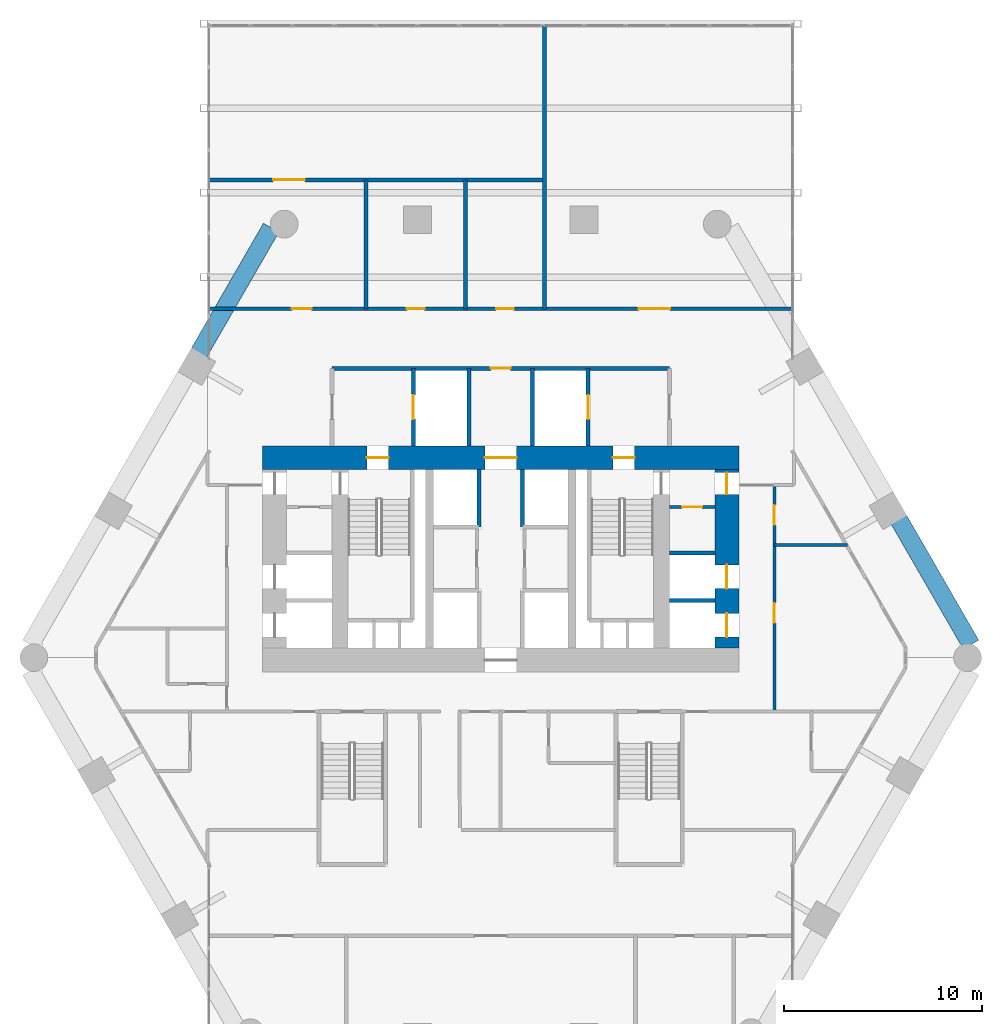
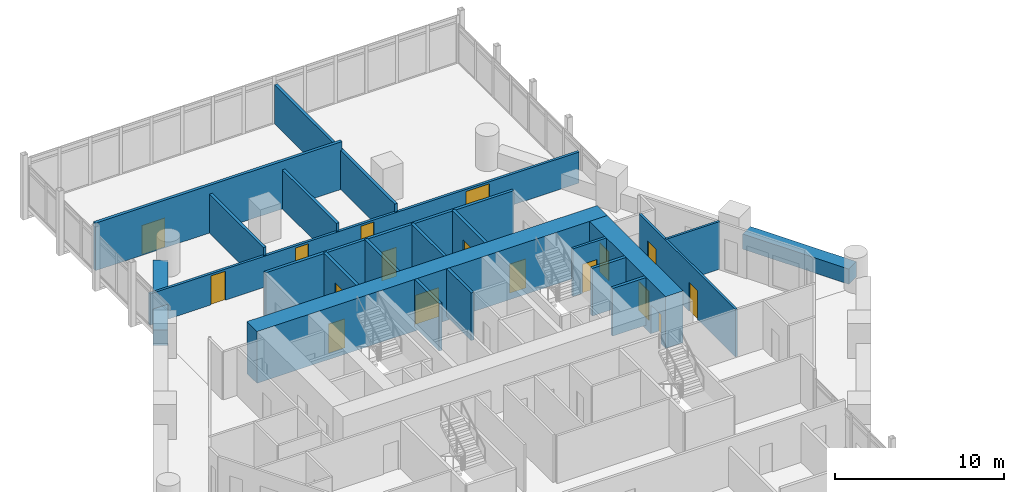
# One storey, part 26 of 28: 21 walls, 17 doors, 17 openings.
"""IFC4 building model written with IfcOpenShell, lengths in metres."""

from ifc_helpers import new_model, si_unit, direction, frame, frame_2d, origin, place, context, subcontext, project, spatial, rectangle, extrude, material, layer, layer_set, type_object, element, fill, save


model = new_model("IFC4")

# Units and contexts
model_context = context("Model", 3, precision=1e-05, world=origin(), true_north=direction((0.0, 1.0)))
body_context = subcontext(model_context, "Body", "Model", "MODEL_VIEW")
ifc_project = project(units=[si_unit("LENGTHUNIT", "METRE"), si_unit("AREAUNIT", "SQUARE_METRE"), si_unit("VOLUMEUNIT", "CUBIC_METRE"), si_unit("PLANEANGLEUNIT", "RADIAN"), si_unit("MASSUNIT", "GRAM", prefix="KILO")], contexts=[model_context])

# Site, building, storey
site_placement = place(None, origin())
site = spatial("IfcSite", under=ifc_project, at=site_placement, CompositionType="ELEMENT")
building_placement = place(site_placement, origin())
building = spatial("IfcBuilding", under=site, at=building_placement, Name="Ostrander Bayou Hotel Tower", CompositionType="ELEMENT")
storey_placement = place(building_placement, frame((0.0, 0.0, 76.75)))
storey = spatial("IfcBuildingStorey", under=building, at=storey_placement, Name="L19", CompositionType="ELEMENT", Elevation=76.75)

# Wall, openings, doors
ifc_material_1 = material(Name="Concrete f'c 70 MPa", Category="concrete")
ifc_layer_1 = layer(ifc_material_1, 1.199951171875)
ifc_layer_set_1 = layer_set([ifc_layer_1], Name="CW1 core wall 1200 mm f'c 70 MPa")
wall_type_1 = type_object("IfcWallType", Name="CW1 core wall 1200 mm f'c 70 MPa", PredefinedType="SHEAR", material=ifc_layer_set_1)
wall_1_placement = place(storey_placement, frame((-12.0, 9.10009765625, -0.300048828125), z_axis=(0.0, 0.0, 1.0), x_axis=(1.0, 0.0, 0.0)))
wall_1 = element("IfcWall", 1, at=wall_1_placement, inside=storey, type_object=wall_type_1, Name="CW1 L19 N", PredefinedType="SHEAR", context=body_context, shape_type="SweptSolid", body=[
    extrude(rectangle(XDim=24.0, YDim=1.199951171875, at=frame_2d((12.0, 0.0))), origin(), (0.0, 0.0, 1.0), 3.75),
])
opening_1_placement = place(wall_1_placement, frame((11.199951171875, 0.0, 0.0)))
opening_1 = element("IfcOpeningElement", 2, at=opening_1_placement, cuts=wall_1, Name="Opening T18-002", PredefinedType="OPENING", context=body_context, shape_type="SweptSolid", body=[
    extrude(rectangle(XDim=1.60009765625, YDim=2.10009765625, at=frame_2d((0.800048828125, 1.050048828125))), frame((0.0, 0.60009765625, 0.0), z_axis=(0.0, -1.0, 0.0), x_axis=(1.0, 0.0, 0.0)), (0.0, 0.0, 1.0), 1.199951171875),
])
opening_2_placement = place(wall_1_placement, frame((5.25, 0.0, 0.0)))
opening_2 = element("IfcOpeningElement", 3, at=opening_2_placement, cuts=wall_1, Name="Opening T18-003", PredefinedType="OPENING", context=body_context, shape_type="SweptSolid", body=[
    extrude(rectangle(XDim=1.10009765625, YDim=2.10009765625, at=frame_2d((0.550048828125, 1.050048828125))), frame((0.0, 0.60009765625, 0.0), z_axis=(0.0, -1.0, 0.0), x_axis=(1.0, 0.0, 0.0)), (0.0, 0.0, 1.0), 1.199951171875),
])
opening_3_placement = place(wall_1_placement, frame((17.64990234375, 0.0, 0.0)))
opening_3 = element("IfcOpeningElement", 4, at=opening_3_placement, cuts=wall_1, Name="Opening T18-005", PredefinedType="OPENING", context=body_context, shape_type="SweptSolid", body=[
    extrude(rectangle(XDim=1.10009765625, YDim=2.10009765625, at=frame_2d((0.550048828125, 1.050048828125))), frame((0.0, 0.60009765625, 0.0), z_axis=(0.0, -1.0, 0.0), x_axis=(1.0, 0.0, 0.0)), (0.0, 0.0, 1.0), 1.199951171875),
])
ifc_material_2 = material(Name="Timber door leaf", Category="wood")
door_type_1 = type_object("IfcDoorType", Name="D13 double door 1600 x 2100 mm, 1 hour", OperationType="SINGLE_SWING_LEFT", PredefinedType="DOOR", material=ifc_material_2)
door_1_placement = place(opening_1_placement, origin())
door_1 = element("IfcDoor", 5, at=door_1_placement, inside=storey, type_object=door_type_1, Name="dr:L19:002", OperationType="DOUBLE_DOOR_SINGLE_SWING", OverallHeight=2.10009765625, OverallWidth=1.60009765625, PredefinedType="DOOR", context=body_context, shape_type="SweptSolid", body=[
    extrude(rectangle(XDim=1.60009765625, YDim=2.10009765625, at=frame_2d((0.800048828125, 1.050048828125))), frame((0.0, 0.02490234375, 0.0), z_axis=(0.0, -1.0, 0.0), x_axis=(1.0, 0.0, 0.0)), (0.0, 0.0, 1.0), 0.050048828125),
])
fill(opening_1, door_1)
ifc_material_3 = material(Name="Timber door leaf", Category="wood")
door_type_2 = type_object("IfcDoorType", Name="D5 stair door 1100 x 2100 mm, 90 minute", OperationType="SINGLE_SWING_LEFT", PredefinedType="DOOR", material=ifc_material_3)
door_2_placement = place(opening_2_placement, origin())
door_2 = element("IfcDoor", 6, at=door_2_placement, inside=storey, type_object=door_type_2, Name="dr:L19:003", OperationType="SINGLE_SWING_LEFT", OverallHeight=2.10009765625, OverallWidth=1.10009765625, PredefinedType="DOOR", context=body_context, shape_type="SweptSolid", body=[
    extrude(rectangle(XDim=1.10009765625, YDim=2.10009765625, at=frame_2d((0.550048828125, 1.050048828125))), frame((0.0, 0.02490234375, 0.0), z_axis=(0.0, -1.0, 0.0), x_axis=(1.0, 0.0, 0.0)), (0.0, 0.0, 1.0), 0.050048828125),
])
fill(opening_2, door_2)
door_3_placement = place(opening_3_placement, origin())
door_3 = element("IfcDoor", 7, at=door_3_placement, inside=storey, type_object=door_type_2, Name="dr:L19:005", OperationType="SINGLE_SWING_RIGHT", OverallHeight=2.10009765625, OverallWidth=1.10009765625, PredefinedType="DOOR", context=body_context, shape_type="SweptSolid", body=[
    extrude(rectangle(XDim=1.10009765625, YDim=2.10009765625, at=frame_2d((0.550048828125, 1.050048828125))), frame((0.0, 0.02490234375, 0.0), z_axis=(0.0, -1.0, 0.0), x_axis=(1.0, 0.0, 0.0)), (0.0, 0.0, 1.0), 0.050048828125),
])
fill(opening_3, door_3)

wall_2_placement = place(storey_placement, frame((11.39990234375, -0.5, -0.300048828125), z_axis=(0.0, 0.0, 1.0), x_axis=(0.0, 1.0, 0.0)))
wall_2 = element("IfcWall", 8, at=wall_2_placement, inside=storey, type_object=wall_type_1, Name="CW1 L19 RE", PredefinedType="SHEAR", context=body_context, shape_type="SweptSolid", body=[
    extrude(rectangle(XDim=9.0, YDim=1.199951171875, at=frame_2d((4.5, 0.0))), origin(), (0.0, 0.0, 1.0), 3.75),
])
opening_4_placement = place(wall_2_placement, frame((7.75, 0.0, 0.0)))
opening_4 = element("IfcOpeningElement", 9, at=opening_4_placement, cuts=wall_2, Name="Opening T18-021", PredefinedType="OPENING", context=body_context, shape_type="SweptSolid", body=[
    extrude(rectangle(XDim=1.10009765625, YDim=2.10009765625, at=frame_2d((0.550048828125, 1.050048828125))), frame((0.0, 0.60009765625, 0.0), z_axis=(0.0, -1.0, 0.0), x_axis=(1.0, 0.0, 0.0)), (0.0, 0.0, 1.0), 1.199951171875),
])
opening_5_placement = place(wall_2_placement, frame((0.550048828125, 0.0, 0.0)))
opening_5 = element("IfcOpeningElement", 10, at=opening_5_placement, cuts=wall_2, Name="Opening T18-022", PredefinedType="OPENING", context=body_context, shape_type="SweptSolid", body=[
    extrude(rectangle(XDim=1.199951171875, YDim=2.10009765625, at=frame_2d((0.60009765625, 1.050048828125))), frame((0.0, 0.60009765625, 0.0), z_axis=(0.0, -1.0, 0.0), x_axis=(1.0, 0.0, 0.0)), (0.0, 0.0, 1.0), 1.199951171875),
])
opening_6_placement = place(wall_2_placement, frame((3.0, 0.0, 0.0)))
opening_6 = element("IfcOpeningElement", 11, at=opening_6_placement, cuts=wall_2, Name="Opening T18-023", PredefinedType="OPENING", context=body_context, shape_type="SweptSolid", body=[
    extrude(rectangle(XDim=1.199951171875, YDim=2.10009765625, at=frame_2d((0.60009765625, 1.050048828125))), frame((0.0, 0.60009765625, 0.0), z_axis=(0.0, -1.0, 0.0), x_axis=(1.0, 0.0, 0.0)), (0.0, 0.0, 1.0), 1.199951171875),
])
door_4_placement = place(opening_4_placement, origin())
door_4 = element("IfcDoor", 12, at=door_4_placement, inside=storey, type_object=door_type_2, Name="dr:L19:021", OperationType="SINGLE_SWING_RIGHT", OverallHeight=2.10009765625, OverallWidth=1.10009765625, PredefinedType="DOOR", context=body_context, shape_type="SweptSolid", body=[
    extrude(rectangle(XDim=1.10009765625, YDim=2.10009765625, at=frame_2d((0.550048828125, 1.050048828125))), frame((0.0, 0.02490234375, 0.0), z_axis=(0.0, -1.0, 0.0), x_axis=(1.0, 0.0, 0.0)), (0.0, 0.0, 1.0), 0.050048828125),
])
fill(opening_4, door_4)
ifc_material_4 = material(Name="Stainless steel sliding door", Category="steel")
door_type_3 = type_object("IfcDoorType", Name="LD1 lift landing door 1200 x 2100 mm", OperationType="SINGLE_SWING_LEFT", PredefinedType="DOOR", material=ifc_material_4)
door_5_placement = place(opening_5_placement, origin())
door_5 = element("IfcDoor", 13, at=door_5_placement, inside=storey, type_object=door_type_3, Name="dr:L19:022", OperationType="SLIDING_TO_LEFT", OverallHeight=2.10009765625, OverallWidth=1.199951171875, PredefinedType="DOOR", context=body_context, shape_type="SweptSolid", body=[
    extrude(rectangle(XDim=1.199951171875, YDim=2.10009765625, at=frame_2d((0.60009765625, 1.050048828125))), frame((0.0, 0.02490234375, 0.0), z_axis=(0.0, -1.0, 0.0), x_axis=(1.0, 0.0, 0.0)), (0.0, 0.0, 1.0), 0.050048828125),
])
fill(opening_5, door_5)
door_6_placement = place(opening_6_placement, origin())
door_6 = element("IfcDoor", 14, at=door_6_placement, inside=storey, type_object=door_type_3, Name="dr:L19:023", OperationType="SLIDING_TO_LEFT", OverallHeight=2.10009765625, OverallWidth=1.199951171875, PredefinedType="DOOR", context=body_context, shape_type="SweptSolid", body=[
    extrude(rectangle(XDim=1.199951171875, YDim=2.10009765625, at=frame_2d((0.60009765625, 1.050048828125))), frame((0.0, 0.02490234375, 0.0), z_axis=(0.0, -1.0, 0.0), x_axis=(1.0, 0.0, 0.0)), (0.0, 0.0, 1.0), 0.050048828125),
])
fill(opening_6, door_6)

# Walls
ifc_material_5 = material(Name="Concrete f'c 40 MPa", Category="concrete")
ifc_layer_2 = layer(ifc_material_5, 0.89990234375)
ifc_layer_set_2 = layer_set([ifc_layer_2], Name="PA1 stone-faced parapet 900 mm")
wall_type_2 = type_object("IfcWallType", Name="PA1 stone-faced parapet 900 mm", PredefinedType="PARAPET", material=ifc_layer_set_2)
for number, where, z_axis, x_axis, name in (
    (15, (-11.5712890625, 20.694091796875, 0.0), (0.0, 0.0, 1.0), (-0.50000343918, -0.866023418164, 0.0), "PA1 L19 NW-1"),
    (16, (23.707275390625, -0.325927734375, 0.0), (0.0, 0.0, 1.0), (-0.50000343918, 0.866023418164, 0.0), "PA1 L19 NE-1"),
):
    element("IfcWall", number, at=place(storey_placement, frame(where, z_axis=z_axis, x_axis=x_axis)), inside=storey, type_object=wall_type_2, Name=name, PredefinedType="PARAPET", context=body_context, shape_type="SweptSolid", body=[
        extrude(rectangle(XDim=7.2705078125, YDim=0.89990234375, at=frame_2d((3.63525390625, 0.0))), origin(), (0.0, 0.0, 1.0), 1.10009765625),
    ])

# Wall, opening, door
ifc_material_6 = material(Name="Gypsum board partition", Category="finish")
ifc_layer_3 = layer(ifc_material_6, 0.199951171875)
ifc_layer_set_3 = layer_set([ifc_layer_3], Name="PT3 demising wall 200 mm acoustic double stud, 1 hour")
wall_type_3 = type_object("IfcWallType", Name="PT3 demising wall 200 mm acoustic double stud, 1 hour", PredefinedType="PARTITIONING", material=ifc_layer_set_3)
wall_3_placement = place(storey_placement, frame((-14.693115234375, 23.10009765625, 0.0), z_axis=(0.0, 0.0, 1.0), x_axis=(1.0, 0.0, 0.0)))
wall_3 = element("IfcWall", 17, at=wall_3_placement, inside=storey, type_object=wall_type_3, Name="sw:L19:505", PredefinedType="PARTITIONING", context=body_context, shape_type="SweptSolid", body=[
    extrude(rectangle(XDim=16.906005859375, YDim=0.199951171875, at=frame_2d((8.453125, 0.0))), origin(), (0.0, 0.0, 1.0), 3.449951171875),
])
opening_7_placement = place(wall_3_placement, frame((3.220947265625, 0.0, 0.0)))
opening_7 = element("IfcOpeningElement", 18, at=opening_7_placement, cuts=wall_3, Name="Opening T18-1211", PredefinedType="OPENING", context=body_context, shape_type="SweptSolid", body=[
    extrude(rectangle(XDim=1.60009765625, YDim=2.10009765625, at=frame_2d((0.800048828125, 1.050048828125))), frame((0.0, 0.10009765625, 0.0), z_axis=(0.0, -1.0, 0.0), x_axis=(1.0, 0.0, 0.0)), (0.0, 0.0, 1.0), 0.199951171875),
])
door_7_placement = place(opening_7_placement, origin())
door_7 = element("IfcDoor", 19, at=door_7_placement, inside=storey, type_object=door_type_1, Name="dr:L19:1211", OperationType="DOUBLE_DOOR_SINGLE_SWING", OverallHeight=2.10009765625, OverallWidth=1.60009765625, PredefinedType="DOOR", context=body_context, shape_type="SweptSolid", body=[
    extrude(rectangle(XDim=1.60009765625, YDim=2.10009765625, at=frame_2d((0.800048828125, 1.050048828125))), frame((0.0, 0.02490234375, 0.0), z_axis=(0.0, -1.0, 0.0), x_axis=(1.0, 0.0, 0.0)), (0.0, 0.0, 1.0), 0.050048828125),
])
fill(opening_7, door_7)

# Walls
for number, where, z_axis, x_axis, name in (
    (20, (-6.787109375, 16.60009765625, 0.0), (0.0, 0.0, 1.0), (0.0, 1.0, 0.0), "sw:L19:507"),
    (21, (-1.787109375, 16.60009765625, 0.0), (0.0, 0.0, 1.0), (0.0, 1.0, 0.0), "sw:L19:508"),
):
    element("IfcWall", number, at=place(storey_placement, frame(where, z_axis=z_axis, x_axis=x_axis)), inside=storey, type_object=wall_type_3, Name=name, PredefinedType="PARTITIONING", context=body_context, shape_type="SweptSolid", body=[
        extrude(rectangle(XDim=6.5, YDim=0.199951171875, at=frame_2d((3.25, 0.0))), origin(), (0.0, 0.0, 1.0), 2.828125),
    ])
wall_4_placement = place(storey_placement, frame((2.212890625, 16.60009765625, 0.0), z_axis=(0.0, 0.0, 1.0), x_axis=(0.0, 1.0, 0.0)))
element("IfcWall", 22, at=wall_4_placement, inside=storey, type_object=wall_type_3, Name="sw:L19:509", PredefinedType="PARTITIONING", context=body_context, shape_type="SweptSolid", body=[
    extrude(rectangle(XDim=14.26708984375, YDim=0.199951171875, at=frame_2d((7.133544921875, 0.0))), origin(), (0.0, 0.0, 1.0), 2.828125),
])

# Wall, opening, door
ifc_material_7 = material(Name="Gypsum board partition", Category="finish")
ifc_layer_4 = layer(ifc_material_7, 0.175048828125)
ifc_layer_set_4 = layer_set([ifc_layer_4], Name="PT4 corridor wall 175 mm, 1 hour")
wall_type_4 = type_object("IfcWallType", Name="PT4 corridor wall 175 mm, 1 hour", PredefinedType="PARTITIONING", material=ifc_layer_set_4)
wall_5_placement = place(storey_placement, frame((8.5, 6.614013671875, 0.0), z_axis=(0.0, 0.0, 1.0), x_axis=(1.0, 0.0, 0.0)))
wall_5 = element("IfcWall", 23, at=wall_5_placement, inside=storey, type_object=wall_type_4, Name="cs:L19:039", PredefinedType="PARTITIONING", context=body_context, shape_type="SweptSolid", body=[
    extrude(rectangle(XDim=2.300048828125, YDim=0.175048828125, at=frame_2d((1.14990234375, 0.0))), origin(), (0.0, 0.0, 1.0), 3.449951171875),
])
opening_8_placement = place(wall_5_placement, frame((0.64990234375, 0.0, 0.0)))
opening_8 = element("IfcOpeningElement", 24, at=opening_8_placement, cuts=wall_5, Name="Opening T18-020", PredefinedType="OPENING", context=body_context, shape_type="SweptSolid", body=[
    extrude(rectangle(XDim=1.0, YDim=2.10009765625, at=frame_2d((0.5, 1.050048828125))), frame((0.0, 0.08740234375, 0.0), z_axis=(0.0, -1.0, 0.0), x_axis=(1.0, 0.0, 0.0)), (0.0, 0.0, 1.0), 0.175048828125),
])
ifc_material_8 = material(Name="Timber door leaf", Category="wood")
door_type_4 = type_object("IfcDoorType", Name="D4 corridor door 1000 x 2100 mm, 1 hour", OperationType="SINGLE_SWING_LEFT", PredefinedType="DOOR", material=ifc_material_8)
door_8_placement = place(opening_8_placement, origin())
door_8 = element("IfcDoor", 25, at=door_8_placement, inside=storey, type_object=door_type_4, Name="dr:L19:020", OperationType="SINGLE_SWING_RIGHT", OverallHeight=2.10009765625, OverallWidth=1.0, PredefinedType="DOOR", context=body_context, shape_type="SweptSolid", body=[
    extrude(rectangle(XDim=1.0, YDim=2.10009765625, at=frame_2d((0.5, 1.050048828125))), frame((0.0, 0.02490234375, 0.0), z_axis=(0.0, -1.0, 0.0), x_axis=(1.0, 0.0, 0.0)), (0.0, 0.0, 1.0), 0.050048828125),
])
fill(opening_8, door_8)

# Wall, openings, doors
wall_6_placement = place(storey_placement, frame((-14.693115234375, 16.60009765625, 0.0), z_axis=(0.0, 0.0, 1.0), x_axis=(1.0, 0.0, 0.0)))
wall_6 = element("IfcWall", 26, at=wall_6_placement, inside=storey, type_object=wall_type_4, Name="sw:L19:501", PredefinedType="PARTITIONING", context=body_context, shape_type="SweptSolid", body=[
    extrude(rectangle(XDim=29.38623046875, YDim=0.175048828125, at=frame_2d((14.693115234375, 0.0))), origin(), (0.0, 0.0, 1.0), 2.25),
])
opening_9_placement = place(wall_6_placement, frame((4.1611328125, 0.0, 0.0)))
opening_9 = element("IfcOpeningElement", 27, at=opening_9_placement, cuts=wall_6, Name="Opening T18-1207", PredefinedType="OPENING", context=body_context, shape_type="SweptSolid", body=[
    extrude(rectangle(XDim=1.0, YDim=2.10009765625, at=frame_2d((0.5, 1.050048828125))), frame((0.0, 0.08740234375, 0.0), z_axis=(0.0, -1.0, 0.0), x_axis=(1.0, 0.0, 0.0)), (0.0, 0.0, 1.0), 0.175048828125),
])
opening_10_placement = place(wall_6_placement, frame((9.9560546875, 0.0, 0.0)))
opening_10 = element("IfcOpeningElement", 28, at=opening_10_placement, cuts=wall_6, Name="Opening T18-1208", PredefinedType="OPENING", context=body_context, shape_type="SweptSolid", body=[
    extrude(rectangle(XDim=0.89990234375, YDim=2.10009765625, at=frame_2d((0.449951171875, 1.050048828125))), frame((0.0, 0.08740234375, 0.0), z_axis=(0.0, -1.0, 0.0), x_axis=(1.0, 0.0, 0.0)), (0.0, 0.0, 1.0), 0.175048828125),
])
opening_11_placement = place(wall_6_placement, frame((14.4560546875, 0.0, 0.0)))
opening_11 = element("IfcOpeningElement", 29, at=opening_11_placement, cuts=wall_6, Name="Opening T18-1209", PredefinedType="OPENING", context=body_context, shape_type="SweptSolid", body=[
    extrude(rectangle(XDim=0.89990234375, YDim=2.10009765625, at=frame_2d((0.449951171875, 1.050048828125))), frame((0.0, 0.08740234375, 0.0), z_axis=(0.0, -1.0, 0.0), x_axis=(1.0, 0.0, 0.0)), (0.0, 0.0, 1.0), 0.175048828125),
])
opening_12_placement = place(wall_6_placement, frame((21.637939453125, 0.0, 0.0)))
opening_12 = element("IfcOpeningElement", 30, at=opening_12_placement, cuts=wall_6, Name="Opening T18-1210", PredefinedType="OPENING", context=body_context, shape_type="SweptSolid", body=[
    extrude(rectangle(XDim=1.60009765625, YDim=2.10009765625, at=frame_2d((0.800048828125, 1.050048828125))), frame((0.0, 0.08740234375, 0.0), z_axis=(0.0, -1.0, 0.0), x_axis=(1.0, 0.0, 0.0)), (0.0, 0.0, 1.0), 0.175048828125),
])
door_9_placement = place(opening_12_placement, origin())
door_9 = element("IfcDoor", 31, at=door_9_placement, inside=storey, type_object=door_type_1, Name="dr:L19:1210", OperationType="DOUBLE_DOOR_SINGLE_SWING", OverallHeight=2.10009765625, OverallWidth=1.60009765625, PredefinedType="DOOR", context=body_context, shape_type="SweptSolid", body=[
    extrude(rectangle(XDim=1.60009765625, YDim=2.10009765625, at=frame_2d((0.800048828125, 1.050048828125))), frame((0.0, 0.02490234375, 0.0), z_axis=(0.0, -1.0, 0.0), x_axis=(1.0, 0.0, 0.0)), (0.0, 0.0, 1.0), 0.050048828125),
])
fill(opening_12, door_9)
ifc_material_9 = material(Name="Timber door leaf", Category="wood")
door_type_5 = type_object("IfcDoorType", Name="D8 room door 900 x 2100 mm", OperationType="SINGLE_SWING_LEFT", PredefinedType="DOOR", material=ifc_material_9)
door_10_placement = place(opening_10_placement, origin())
door_10 = element("IfcDoor", 32, at=door_10_placement, inside=storey, type_object=door_type_5, Name="dr:L19:1208", OperationType="SINGLE_SWING_RIGHT", OverallHeight=2.10009765625, OverallWidth=0.89990234375, PredefinedType="DOOR", context=body_context, shape_type="SweptSolid", body=[
    extrude(rectangle(XDim=0.89990234375, YDim=2.10009765625, at=frame_2d((0.449951171875, 1.050048828125))), frame((0.0, 0.02490234375, 0.0), z_axis=(0.0, -1.0, 0.0), x_axis=(1.0, 0.0, 0.0)), (0.0, 0.0, 1.0), 0.050048828125),
])
fill(opening_10, door_10)
door_11_placement = place(opening_11_placement, origin())
door_11 = element("IfcDoor", 33, at=door_11_placement, inside=storey, type_object=door_type_5, Name="dr:L19:1209", OperationType="SINGLE_SWING_LEFT", OverallHeight=2.10009765625, OverallWidth=0.89990234375, PredefinedType="DOOR", context=body_context, shape_type="SweptSolid", body=[
    extrude(rectangle(XDim=0.89990234375, YDim=2.10009765625, at=frame_2d((0.449951171875, 1.050048828125))), frame((0.0, 0.02490234375, 0.0), z_axis=(0.0, -1.0, 0.0), x_axis=(1.0, 0.0, 0.0)), (0.0, 0.0, 1.0), 0.050048828125),
])
fill(opening_11, door_11)
ifc_material_10 = material(Name="Timber door leaf", Category="wood")
door_type_6 = type_object("IfcDoorType", Name="D9 service door 1000 x 2100 mm, 30 minute", OperationType="SINGLE_SWING_LEFT", PredefinedType="DOOR", material=ifc_material_10)
door_12_placement = place(opening_9_placement, origin())
door_12 = element("IfcDoor", 34, at=door_12_placement, inside=storey, type_object=door_type_6, Name="dr:L19:1207", OperationType="SINGLE_SWING_LEFT", OverallHeight=2.10009765625, OverallWidth=1.0, PredefinedType="DOOR", context=body_context, shape_type="SweptSolid", body=[
    extrude(rectangle(XDim=1.0, YDim=2.10009765625, at=frame_2d((0.5, 1.050048828125))), frame((0.0, 0.02490234375, 0.0), z_axis=(0.0, -1.0, 0.0), x_axis=(1.0, 0.0, 0.0)), (0.0, 0.0, 1.0), 0.050048828125),
])
fill(opening_9, door_12)

# Wall, opening, door
ifc_material_11 = material(Name="Masonry block", Category="masonry")
ifc_layer_5 = layer(ifc_material_11, 0.199951171875)
ifc_layer_set_5 = layer_set([ifc_layer_5], Name="PT5 stair enclosure wall 200 mm masonry, 2 hour")
wall_type_5 = type_object("IfcWallType", Name="PT5 stair enclosure wall 200 mm masonry, 2 hour", PredefinedType="PARTITIONING", material=ifc_layer_set_5)
wall_7_placement = place(storey_placement, frame((-8.5, 13.60009765625, 0.0), z_axis=(0.0, 0.0, 1.0), x_axis=(1.0, 0.0, 0.0)))
wall_7 = element("IfcWall", 35, at=wall_7_placement, inside=storey, type_object=wall_type_5, Name="cs:L19:025", PredefinedType="PARTITIONING", context=body_context, shape_type="SweptSolid", body=[
    extrude(rectangle(XDim=17.0, YDim=0.199951171875, at=frame_2d((8.5, 0.0))), origin(), (0.0, 0.0, 1.0), 3.449951171875),
])
opening_13_placement = place(wall_7_placement, frame((8.0, 0.0, 0.0)))
opening_13 = element("IfcOpeningElement", 36, at=opening_13_placement, cuts=wall_7, Name="Opening T18-013", PredefinedType="OPENING", context=body_context, shape_type="SweptSolid", body=[
    extrude(rectangle(XDim=1.0, YDim=2.10009765625, at=frame_2d((0.5, 1.050048828125))), frame((0.0, 0.10009765625, 0.0), z_axis=(0.0, -1.0, 0.0), x_axis=(1.0, 0.0, 0.0)), (0.0, 0.0, 1.0), 0.199951171875),
])
door_13_placement = place(opening_13_placement, origin())
door_13 = element("IfcDoor", 37, at=door_13_placement, inside=storey, type_object=door_type_6, Name="dr:L19:013", OperationType="SINGLE_SWING_LEFT", OverallHeight=2.10009765625, OverallWidth=1.0, PredefinedType="DOOR", context=body_context, shape_type="SweptSolid", body=[
    extrude(rectangle(XDim=1.0, YDim=2.10009765625, at=frame_2d((0.5, 1.050048828125))), frame((0.0, 0.02490234375, 0.0), z_axis=(0.0, -1.0, 0.0), x_axis=(1.0, 0.0, 0.0)), (0.0, 0.0, 1.0), 0.050048828125),
])
fill(opening_13, door_13)

wall_8_placement = place(storey_placement, frame((-4.39990234375, 9.699951171875, 0.0), z_axis=(0.0, 0.0, 1.0), x_axis=(0.0, 1.0, 0.0)))
wall_8 = element("IfcWall", 38, at=wall_8_placement, inside=storey, type_object=wall_type_5, Name="cs:L19:028", PredefinedType="PARTITIONING", context=body_context, shape_type="SweptSolid", body=[
    extrude(rectangle(XDim=3.900146484375, YDim=0.199951171875, at=frame_2d((1.9501953125, 0.0))), origin(), (0.0, 0.0, 1.0), 3.449951171875),
])
opening_14_placement = place(wall_8_placement, frame((1.35009765625, 0.0, 0.0)))
opening_14 = element("IfcOpeningElement", 39, at=opening_14_placement, cuts=wall_8, Name="Opening T18-009", PredefinedType="OPENING", context=body_context, shape_type="SweptSolid", body=[
    extrude(rectangle(XDim=1.199951171875, YDim=2.10009765625, at=frame_2d((0.60009765625, 1.050048828125))), frame((0.0, 0.10009765625, 0.0), z_axis=(0.0, -1.0, 0.0), x_axis=(1.0, 0.0, 0.0)), (0.0, 0.0, 1.0), 0.199951171875),
])
door_14_placement = place(opening_14_placement, origin())
door_14 = element("IfcDoor", 40, at=door_14_placement, inside=storey, type_object=door_type_3, Name="dr:L19:009", OperationType="SLIDING_TO_LEFT", OverallHeight=2.10009765625, OverallWidth=1.199951171875, PredefinedType="DOOR", context=body_context, shape_type="SweptSolid", body=[
    extrude(rectangle(XDim=1.199951171875, YDim=2.10009765625, at=frame_2d((0.60009765625, 1.050048828125))), frame((0.0, 0.02490234375, 0.0), z_axis=(0.0, -1.0, 0.0), x_axis=(1.0, 0.0, 0.0)), (0.0, 0.0, 1.0), 0.050048828125),
])
fill(opening_14, door_14)

wall_9_placement = place(storey_placement, frame((4.39990234375, 9.699951171875, 0.0), z_axis=(0.0, 0.0, 1.0), x_axis=(0.0, 1.0, 0.0)))
wall_9 = element("IfcWall", 41, at=wall_9_placement, inside=storey, type_object=wall_type_5, Name="cs:L19:029", PredefinedType="PARTITIONING", context=body_context, shape_type="SweptSolid", body=[
    extrude(rectangle(XDim=3.900146484375, YDim=0.199951171875, at=frame_2d((1.9501953125, 0.0))), origin(), (0.0, 0.0, 1.0), 3.449951171875),
])
opening_15_placement = place(wall_9_placement, frame((1.35009765625, 0.0, 0.0)))
opening_15 = element("IfcOpeningElement", 42, at=opening_15_placement, cuts=wall_9, Name="Opening T18-011", PredefinedType="OPENING", context=body_context, shape_type="SweptSolid", body=[
    extrude(rectangle(XDim=1.199951171875, YDim=2.10009765625, at=frame_2d((0.60009765625, 1.050048828125))), frame((0.0, 0.10009765625, 0.0), z_axis=(0.0, -1.0, 0.0), x_axis=(1.0, 0.0, 0.0)), (0.0, 0.0, 1.0), 0.199951171875),
])
door_15_placement = place(opening_15_placement, origin())
door_15 = element("IfcDoor", 43, at=door_15_placement, inside=storey, type_object=door_type_3, Name="dr:L19:011", OperationType="SLIDING_TO_LEFT", OverallHeight=2.10009765625, OverallWidth=1.199951171875, PredefinedType="DOOR", context=body_context, shape_type="SweptSolid", body=[
    extrude(rectangle(XDim=1.199951171875, YDim=2.10009765625, at=frame_2d((0.60009765625, 1.050048828125))), frame((0.0, 0.02490234375, 0.0), z_axis=(0.0, -1.0, 0.0), x_axis=(1.0, 0.0, 0.0)), (0.0, 0.0, 1.0), 0.050048828125),
])
fill(opening_15, door_15)

# Walls
ifc_material_12 = material(Name="Masonry block", Category="masonry")
ifc_layer_6 = layer(ifc_material_12, 0.199951171875)
ifc_layer_set_6 = layer_set([ifc_layer_6], Name="PT6 lift shaft wall 200 mm masonry, 2 hour")
wall_type_6 = type_object("IfcWallType", Name="PT6 lift shaft wall 200 mm masonry, 2 hour", PredefinedType="PARTITIONING", material=ifc_layer_set_6)
for number, where, z_axis, x_axis, name in (
    (44, (-1.10009765625, 5.60009765625, 0.0), (0.0, 0.0, 1.0), (0.0, 1.0, 0.0), "cs:L19:007"),
    (45, (1.10009765625, 5.60009765625, 0.0), (0.0, 0.0, 1.0), (0.0, 1.0, 0.0), "cs:L19:008"),
):
    element("IfcWall", number, at=place(storey_placement, frame(where, z_axis=z_axis, x_axis=x_axis)), inside=storey, type_object=wall_type_6, Name=name, PredefinedType="PARTITIONING", context=body_context, shape_type="SweptSolid", body=[
        extrude(rectangle(XDim=2.89990234375, YDim=0.199951171875, at=frame_2d((1.449951171875, 0.0))), origin(), (0.0, 0.0, 1.0), 3.449951171875),
    ])
for number, where, z_axis, x_axis, name in (
    (46, (-1.60009765625, 9.699951171875, 0.0), (0.0, 0.0, 1.0), (0.0, 1.0, 0.0), "cs:L19:030"),
    (47, (1.60009765625, 9.699951171875, 0.0), (0.0, 0.0, 1.0), (0.0, 1.0, 0.0), "cs:L19:031"),
):
    element("IfcWall", number, at=place(storey_placement, frame(where, z_axis=z_axis, x_axis=x_axis)), inside=storey, type_object=wall_type_6, Name=name, PredefinedType="PARTITIONING", context=body_context, shape_type="SweptSolid", body=[
        extrude(rectangle(XDim=3.900146484375, YDim=0.199951171875, at=frame_2d((1.9501953125, 0.0))), origin(), (0.0, 0.0, 1.0), 3.449951171875),
    ])
for number, where, z_axis, x_axis, name in (
    (48, (8.5, 1.89990234375, 0.0), (0.0, 0.0, 1.0), (1.0, 0.0, 0.0), "cs:L19:037"),
    (49, (8.5, 4.300048828125, 0.0), (0.0, 0.0, 1.0), (1.0, 0.0, 0.0), "cs:L19:038"),
):
    element("IfcWall", number, at=place(storey_placement, frame(where, z_axis=z_axis, x_axis=x_axis)), inside=storey, type_object=wall_type_6, Name=name, PredefinedType="PARTITIONING", context=body_context, shape_type="SweptSolid", body=[
        extrude(rectangle(XDim=2.300048828125, YDim=0.199951171875, at=frame_2d((1.14990234375, 0.0))), origin(), (0.0, 0.0, 1.0), 3.449951171875),
    ])
ifc_material_13 = material(Name="Gypsum board partition", Category="finish")
ifc_layer_7 = layer(ifc_material_13, 0.14990234375)
ifc_layer_set_7 = layer_set([ifc_layer_7], Name="PT8 service band wall 150 mm, 1 hour")
wall_type_7 = type_object("IfcWallType", Name="PT8 service band wall 150 mm, 1 hour", PredefinedType="PARTITIONING", material=ifc_layer_set_7)
wall_10_placement = place(storey_placement, frame((13.800048828125, 4.699951171875, 0.0), z_axis=(0.0, 0.0, 1.0), x_axis=(1.0, 0.0, 0.0)))
element("IfcWall", 50, at=wall_10_placement, inside=storey, type_object=wall_type_7, Name="gw:L19:013", PredefinedType="PARTITIONING", context=body_context, shape_type="SweptSolid", body=[
    extrude(rectangle(XDim=3.679931640625, YDim=0.14990234375, at=frame_2d((1.83984375, 0.0))), origin(), (0.0, 0.0, 1.0), 3.449951171875),
])

# Wall, openings, doors
wall_11_placement = place(storey_placement, frame((13.800048828125, -3.699951171875, 0.0), z_axis=(0.0, 0.0, 1.0), x_axis=(0.0, 1.0, 0.0)))
wall_11 = element("IfcWall", 51, at=wall_11_placement, inside=storey, type_object=wall_type_7, Name="gw:L19:019", PredefinedType="PARTITIONING", context=body_context, shape_type="SweptSolid", body=[
    extrude(rectangle(XDim=11.4150390625, YDim=0.14990234375, at=frame_2d((5.70751953125, 0.0))), origin(), (0.0, 0.0, 1.0), 3.449951171875),
])
opening_16_placement = place(wall_11_placement, frame((4.468994140625, 0.0, 0.0)))
opening_16 = element("IfcOpeningElement", 52, at=opening_16_placement, cuts=wall_11, Name="Opening T18-410", PredefinedType="OPENING", context=body_context, shape_type="SweptSolid", body=[
    extrude(rectangle(XDim=1.0, YDim=2.10009765625, at=frame_2d((0.5, 1.050048828125))), frame((0.0, 0.074951171875, 0.0), z_axis=(0.0, -1.0, 0.0), x_axis=(1.0, 0.0, 0.0)), (0.0, 0.0, 1.0), 0.14990234375),
])
opening_17_placement = place(wall_11_placement, frame((9.406982421875, 0.0, 0.0)))
opening_17 = element("IfcOpeningElement", 53, at=opening_17_placement, cuts=wall_11, Name="Opening T18-411", PredefinedType="OPENING", context=body_context, shape_type="SweptSolid", body=[
    extrude(rectangle(XDim=1.0, YDim=2.10009765625, at=frame_2d((0.5, 1.050048828125))), frame((0.0, 0.074951171875, 0.0), z_axis=(0.0, -1.0, 0.0), x_axis=(1.0, 0.0, 0.0)), (0.0, 0.0, 1.0), 0.14990234375),
])
ifc_material_14 = material(Name="Timber door leaf", Category="wood")
door_type_7 = type_object("IfcDoorType", Name="D15 room door 1000 x 2100 mm", OperationType="SINGLE_SWING_LEFT", PredefinedType="DOOR", material=ifc_material_14)
door_16_placement = place(opening_16_placement, origin())
door_16 = element("IfcDoor", 54, at=door_16_placement, inside=storey, type_object=door_type_7, Name="dr:L19:410", OperationType="SINGLE_SWING_RIGHT", OverallHeight=2.10009765625, OverallWidth=1.0, PredefinedType="DOOR", context=body_context, shape_type="SweptSolid", body=[
    extrude(rectangle(XDim=1.0, YDim=2.10009765625, at=frame_2d((0.5, 1.050048828125))), frame((0.0, 0.02490234375, 0.0), z_axis=(0.0, -1.0, 0.0), x_axis=(1.0, 0.0, 0.0)), (0.0, 0.0, 1.0), 0.050048828125),
])
fill(opening_16, door_16)
door_17_placement = place(opening_17_placement, origin())
door_17 = element("IfcDoor", 55, at=door_17_placement, inside=storey, type_object=door_type_6, Name="dr:L19:411", OperationType="SINGLE_SWING_LEFT", OverallHeight=2.10009765625, OverallWidth=1.0, PredefinedType="DOOR", context=body_context, shape_type="SweptSolid", body=[
    extrude(rectangle(XDim=1.0, YDim=2.10009765625, at=frame_2d((0.5, 1.050048828125))), frame((0.0, 0.02490234375, 0.0), z_axis=(0.0, -1.0, 0.0), x_axis=(1.0, 0.0, 0.0)), (0.0, 0.0, 1.0), 0.050048828125),
])
fill(opening_17, door_17)

save(model, "model.ifc")
